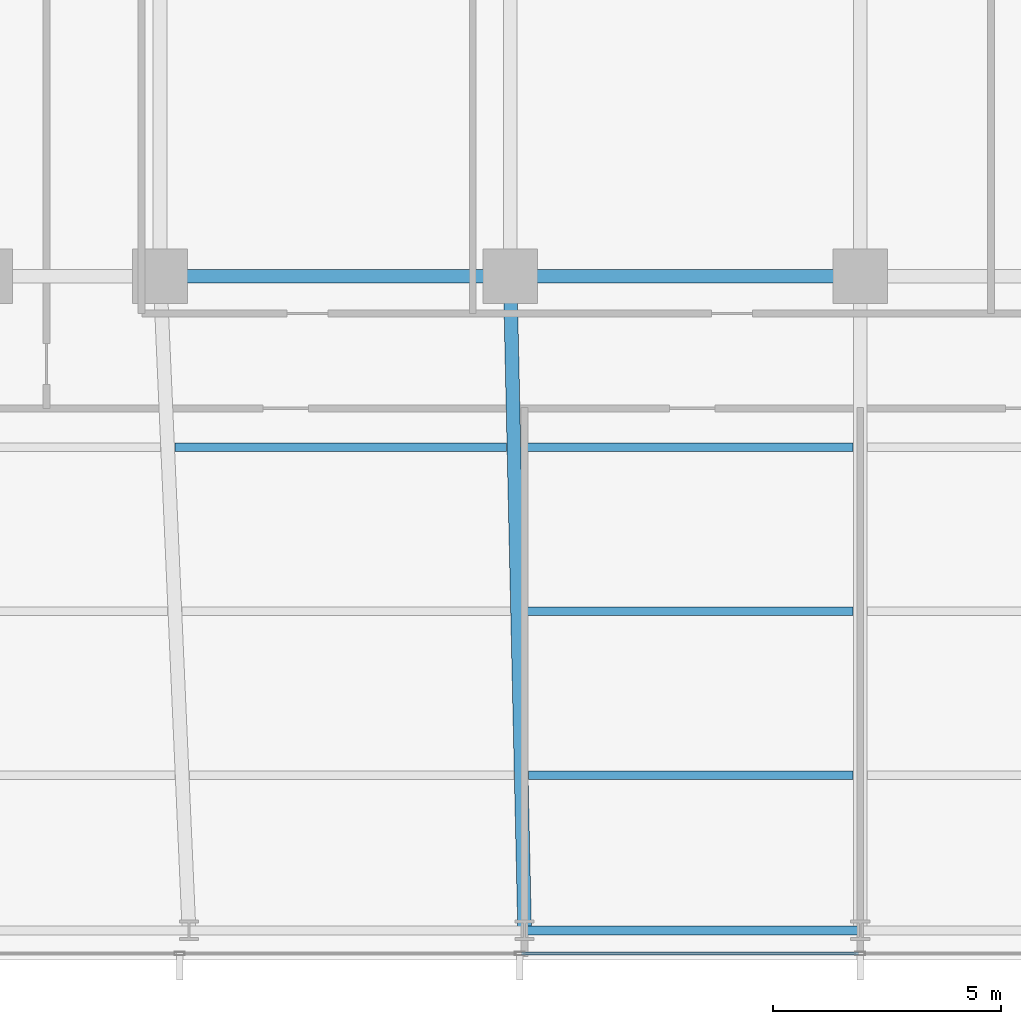
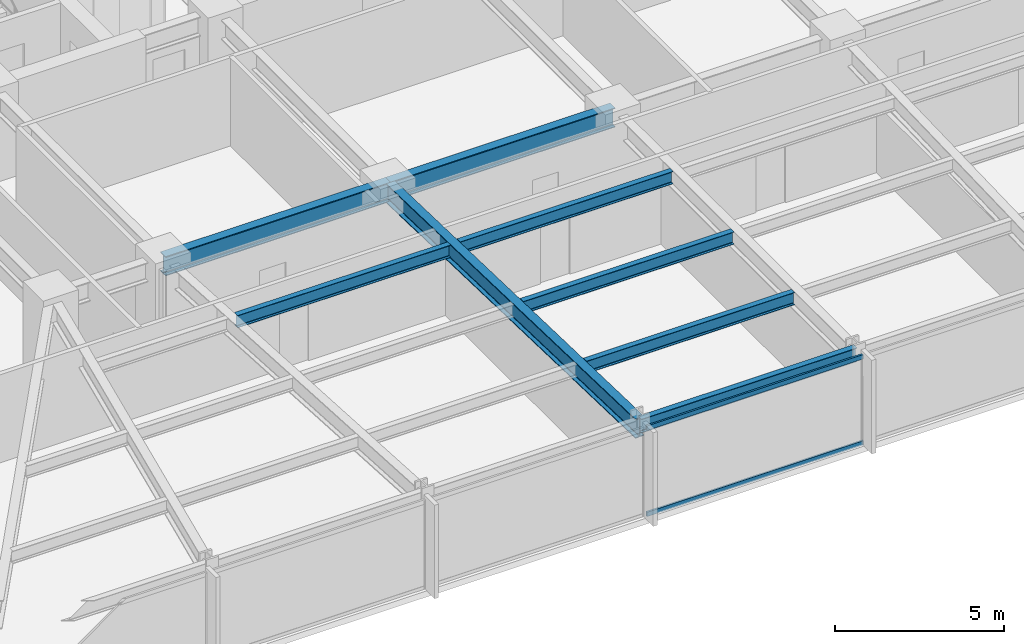
# One storey, part 6 of 33: 8 beams, 2 members, 1 element without a shape of its own.
"""IFC4 building model written with IfcOpenShell, lengths in metres."""

from ifc_helpers import new_model, si_unit, direction, frame, origin, origin_2d, place, context, subcontext, project, spatial, hollow_rectangle, i_section, extrude, material, material_profile, profile_set, type_object, element, aggregate, save


model = new_model("IFC4")

# Units and contexts
model_context = context("Model", 3, precision=1e-05, world=origin(), true_north=direction((0.0, 1.0)))
body_context = subcontext(model_context, "Body", "Model", "MODEL_VIEW")
ifc_project = project(units=[si_unit("LENGTHUNIT", "METRE"), si_unit("AREAUNIT", "SQUARE_METRE"), si_unit("VOLUMEUNIT", "CUBIC_METRE"), si_unit("PLANEANGLEUNIT", "RADIAN"), si_unit("MASSUNIT", "GRAM", prefix="KILO")], contexts=[model_context])

# Site, building, storey
site_placement = place(None, origin())
site = spatial("IfcSite", under=ifc_project, at=site_placement, CompositionType="ELEMENT")
building_placement = place(site_placement, origin())
building = spatial("IfcBuilding", under=site, at=building_placement, Name="Yelkora Congress Tower", CompositionType="ELEMENT")
storey_placement = place(building_placement, frame((0.0, 0.0, 47.39990234375)))
storey = spatial("IfcBuildingStorey", under=building, at=storey_placement, Name="L11", CompositionType="ELEMENT", Elevation=47.39990234375)

# Beams
ifc_material_1 = material(Name="Steel S355J2", Category="steel")
ifc_material_profile_1 = material_profile(ifc_material_1, i_section(OverallWidth=0.300048828125, OverallDepth=0.699951171875, WebThickness=0.01708984375, FlangeThickness=0.031982421875, FilletRadius=0.027099609375, at=origin_2d()), Name="HEB 700")
ifc_profile_set_1 = profile_set([ifc_material_profile_1], Name="Steel S355J2")
beam_type_1 = type_object("IfcBeamType", Name="BM-GIRD-HEB700", PredefinedType="BEAM", material=ifc_profile_set_1)
for number, where, z_axis, x_axis, name in (
    (1, (23.0400390625, 25.199951171875, 2.830078125), (1.0, 0.0, 0.0), (0.0, 1.0, 0.0), "L11 Spine Grid D Girder 2"),
    (2, (30.719970703125, 25.199951171875, 2.830078125), (1.0, 0.0, 0.0), (0.0, 1.0, 0.0), "L11 Spine Grid D Girder 3"),
):
    element("IfcBeam", number, at=place(storey_placement, frame(where, z_axis=z_axis, x_axis=x_axis)), inside=storey, type_object=beam_type_1, Name=name, PredefinedType="BEAM", context=body_context, shape_type="SweptSolid", body=[
        extrude(i_section(OverallWidth=0.300048828125, OverallDepth=0.699951171875, WebThickness=0.01708984375, FlangeThickness=0.031982421875, FilletRadius=0.027099609375, at=origin_2d()), origin(), (0.0, 0.0, 1.0), 7.679931640625),
    ])
beam_1_placement = place(storey_placement, frame((31.03759765625, 10.85009765625, 2.830078125), z_axis=(-0.022129088136, 0.999755121746, 0.0), x_axis=(-0.999755121746, -0.022129088136, 0.0)))
element("IfcBeam", 3, at=beam_1_placement, inside=storey, type_object=beam_type_1, Name="L11 Primary Frame Girder S04", PredefinedType="BEAM", context=body_context, shape_type="SweptSolid", body=[
    extrude(i_section(OverallWidth=0.300048828125, OverallDepth=0.699951171875, WebThickness=0.01708984375, FlangeThickness=0.031982421875, FilletRadius=0.027099609375, at=origin_2d()), origin(), (0.0, 0.0, 1.0), 14.353271484375),
])
ifc_material_profile_2 = material_profile(ifc_material_1, i_section(OverallWidth=0.18994140625, OverallDepth=0.449951171875, WebThickness=0.009521484375, FlangeThickness=0.0146484375, FilletRadius=0.02099609375, at=origin_2d()), Name="IPE 450")
ifc_profile_set_2 = profile_set([ifc_material_profile_2], Name="Steel S355J2")
beam_type_2 = type_object("IfcBeamType", Name="BM-JOIST-IPE450", PredefinedType="JOIST", material=ifc_profile_set_2)
beam_2_placement = place(storey_placement, frame((31.122314453125, 14.25, 2.955078125), z_axis=(1.0, 0.0, 0.0), x_axis=(0.0, 1.0, 0.0)))
element("IfcBeam", 4, at=beam_2_placement, inside=storey, type_object=beam_type_2, Name="L11 Composite Floor Joist 4", PredefinedType="JOIST", context=body_context, shape_type="SweptSolid", body=[
    extrude(i_section(OverallWidth=0.18994140625, OverallDepth=0.449951171875, WebThickness=0.009521484375, FlangeThickness=0.0146484375, FilletRadius=0.02099609375, at=origin_2d()), origin(), (0.0, 0.0, 1.0), 7.11767578125),
])
beam_3_placement = place(storey_placement, frame((31.04248046875, 17.85009765625, 2.955078125), z_axis=(1.0, 0.0, 0.0), x_axis=(0.0, 1.0, 0.0)))
element("IfcBeam", 5, at=beam_3_placement, inside=storey, type_object=beam_type_2, Name="L11 Composite Floor Joist 12", PredefinedType="JOIST", context=body_context, shape_type="SweptSolid", body=[
    extrude(i_section(OverallWidth=0.18994140625, OverallDepth=0.449951171875, WebThickness=0.009521484375, FlangeThickness=0.0146484375, FilletRadius=0.02099609375, at=origin_2d()), origin(), (0.0, 0.0, 1.0), 7.197509765625),
])
for number, where, z_axis, x_axis, name in (
    (6, (23.365966796875, 21.449951171875, 2.955078125), (1.0, 0.0, 0.0), (0.0, 1.0, 0.0), "L11 Composite Floor Joist 18"),
    (7, (30.962890625, 21.449951171875, 2.955078125), (1.0, 0.0, 0.0), (0.0, 1.0, 0.0), "L11 Composite Floor Joist 19"),
):
    element("IfcBeam", number, at=place(storey_placement, frame(where, z_axis=z_axis, x_axis=x_axis)), inside=storey, type_object=beam_type_2, Name=name, PredefinedType="JOIST", context=body_context, shape_type="SweptSolid", body=[
        extrude(i_section(OverallWidth=0.18994140625, OverallDepth=0.449951171875, WebThickness=0.009521484375, FlangeThickness=0.0146484375, FilletRadius=0.02099609375, at=origin_2d()), origin(), (0.0, 0.0, 1.0), 7.277099609375),
    ])
ifc_material_profile_3 = material_profile(ifc_material_1, i_section(OverallWidth=0.199951171875, OverallDepth=0.5, WebThickness=0.01025390625, FlangeThickness=0.01611328125, FilletRadius=0.02099609375, at=origin_2d()), Name="IPE 500")
ifc_profile_set_3 = profile_set([ifc_material_profile_3], Name="Steel S355J2")
beam_type_3 = type_object("IfcBeamType", Name="BM-SPAN-IPE500", PredefinedType="SPANDREL", material=ifc_profile_set_3)
beam_4_placement = place(storey_placement, frame((31.03759765625, 10.85009765625, 2.93017578125), z_axis=(1.0, 0.0, 0.0), x_axis=(0.0, 1.0, 0.0)))
element("IfcBeam", 8, at=beam_4_placement, inside=storey, type_object=beam_type_3, Name="L11 Perimeter Beam 5", PredefinedType="SPANDREL", context=body_context, shape_type="SweptSolid", body=[
    extrude(i_section(OverallWidth=0.199951171875, OverallDepth=0.5, WebThickness=0.01025390625, FlangeThickness=0.01611328125, FilletRadius=0.02099609375, at=origin_2d()), origin(), (0.0, 0.0, 1.0), 7.3623046875),
])

# Curtain wall, members
ifc_material_2 = material(Name="Anodised aluminium and insulated glass", Category="aluminium")
curtain_wall_type = type_object("IfcCurtainWallType", Name="CW-SYS-B1", PredefinedType="NOTDEFINED", material=ifc_material_2)
curtain_wall_placement = place(storey_placement, origin())
curtain_wall = element("IfcCurtainWall", 9, at=curtain_wall_placement, inside=storey, type_object=curtain_wall_type, Name="L11 Unitised Curtain Wall 20", PredefinedType="NOTDEFINED")
ifc_material_3 = material(Name="Anodised aluminium 6063-T6", Category="aluminium")
ifc_material_profile_4 = material_profile(ifc_material_3, hollow_rectangle(XDim=0.06494140625, YDim=0.159912109375, WallThickness=0.00390625, at=origin_2d()), Name="ALU 65x160x4")
ifc_profile_set_4 = profile_set([ifc_material_profile_4], Name="Anodised aluminium 6063-T6")
member_type = type_object("IfcMemberType", Name="MEM-TR-B1", PredefinedType="USERDEFINED", material=ifc_profile_set_4)
member_1_placement = place(storey_placement, frame((38.362548828125, 10.340087890625, 0.03271484375), z_axis=(-1.0, 0.0, 0.0), x_axis=(0.0, -1.0, 0.0)))
member_1 = element("IfcMember", 10, at=member_1_placement, type_object=member_type, Name="CW-B1 transom 5.1", ObjectType="TRANSOM", PredefinedType="USERDEFINED", context=body_context, shape_type="SweptSolid", body=[
    extrude(hollow_rectangle(XDim=0.06494140625, YDim=0.159912109375, WallThickness=0.00390625, at=origin_2d()), origin(), (0.0, 0.0, 1.0), 7.39013671875),
])
member_2_placement = place(storey_placement, frame((38.362548828125, 10.340087890625, 3.147705078125), z_axis=(-1.0, 0.0, 0.0), x_axis=(0.0, -1.0, 0.0)))
member_2 = element("IfcMember", 11, at=member_2_placement, type_object=member_type, Name="CW-B1 transom 5.2", ObjectType="TRANSOM", PredefinedType="USERDEFINED", context=body_context, shape_type="SweptSolid", body=[
    extrude(hollow_rectangle(XDim=0.06494140625, YDim=0.159912109375, WallThickness=0.00390625, at=origin_2d()), origin(), (0.0, 0.0, 1.0), 7.39013671875),
])
aggregate(curtain_wall, [member_1, member_2])

save(model, "model.ifc")
